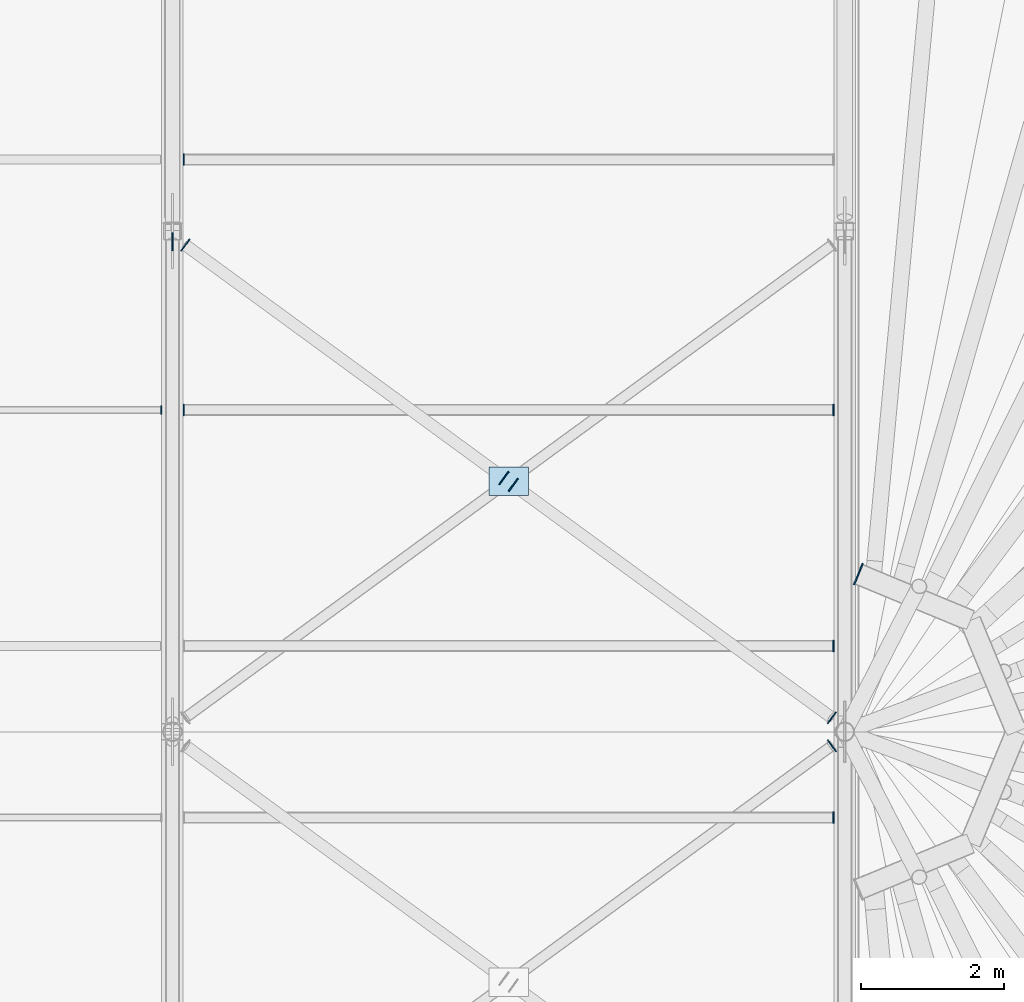
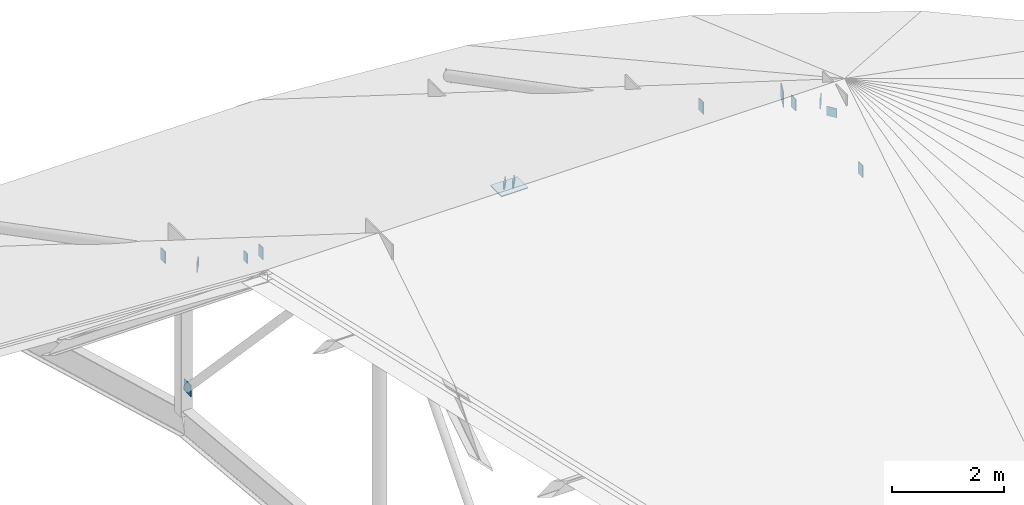
# One storey, part 61 of 66: 14 plates.
"""IFC4 building model written with IfcOpenShell, lengths in metres."""

from ifc_helpers import new_model, si_unit, direction, frame, origin, origin_2d, place, context, subcontext, project, spatial, rectangle, extrude, material, layer, layer_set, type_object, element, save


model = new_model("IFC4")

# Units and contexts
model_context = context("Model", 3, precision=1e-05, world=origin(), true_north=direction((0.0, 1.0)))
body_context = subcontext(model_context, "Body", "Model", "MODEL_VIEW")
ifc_project = project(units=[si_unit("LENGTHUNIT", "METRE"), si_unit("AREAUNIT", "SQUARE_METRE"), si_unit("VOLUMEUNIT", "CUBIC_METRE"), si_unit("PLANEANGLEUNIT", "RADIAN"), si_unit("MASSUNIT", "GRAM", prefix="KILO")], contexts=[model_context])

# Site, building, storey
site_placement = place(None, origin())
site = spatial("IfcSite", under=ifc_project, at=site_placement, CompositionType="ELEMENT")
building_placement = place(site_placement, origin())
building = spatial("IfcBuilding", under=site, at=building_placement, Name="Yeouljin Market Hall", CompositionType="ELEMENT")
storey_placement = place(building_placement, frame((0.0, 0.0, 23.39990234375)))
storey = spatial("IfcBuildingStorey", under=building, at=storey_placement, Name="RF", CompositionType="ELEMENT", Elevation=23.39990234375)

# Plates
ifc_material_1 = material(Name="Steel SM355", Category="steel")
ifc_layer_1 = layer(ifc_material_1, 0.01611328125)
ifc_layer_set_1 = layer_set([ifc_layer_1], Name="Steel SM355")
plate_type_1 = type_object("IfcPlateType", Name="CapPlate_200x200x16", PredefinedType="SHEET", material=ifc_layer_set_1)
for number, where, z_axis, x_axis, name in (
    (1, (140.6201171875, 56.804443359375, 0.623046875), (0.0, 0.0, 1.0), (-0.590183063249, 0.807269441918, 0.0), "Wind brace end-cap plate 0254"),
    (2, (131.580078125, 63.804443359375, -3.78271484375), (0.0, 0.0, 1.0), (0.590183063249, 0.807269441918, 0.0), "Wind brace end-cap plate 0261"),
    (3, (140.6201171875, 57.195556640625, 0.623046875), (0.0, 0.0, 1.0), (0.590183063249, 0.807269441918, 0.0), "Wind brace end-cap plate 0264"),
):
    element("IfcPlate", number, at=place(storey_placement, frame(where, z_axis=z_axis, x_axis=x_axis)), inside=storey, type_object=plate_type_1, Name=name, PredefinedType="SHEET", context=body_context, shape_type="SweptSolid", body=[
        extrude(rectangle(XDim=0.199951171875, YDim=0.01611328125, at=origin_2d()), origin(), (0.0, 0.0, 1.0), 0.199951171875),
    ])
ifc_material_2 = material(Name="Steel SM355", Category="steel")
ifc_layer_2 = layer(ifc_material_2, 0.01611328125)
ifc_layer_set_2 = layer_set([ifc_layer_2], Name="Steel SM355")
plate_type_2 = type_object("IfcPlateType", Name="CapPlate_220x120x16", PredefinedType="SHEET", material=ifc_layer_set_2)
plate_1_placement = place(storey_placement, frame((131.241943359375, 61.5, -2.11865234375), z_axis=(0.0, 0.0, 1.0), x_axis=(0.0, 1.0, 0.0)))
element("IfcPlate", 4, at=plate_1_placement, inside=storey, type_object=plate_type_2, Name="Purlin end-cap plate 0224", PredefinedType="SHEET", context=body_context, shape_type="SweptSolid", body=[
    extrude(rectangle(XDim=0.1201171875, YDim=0.01611328125, at=origin_2d()), origin(), (0.0, 0.0, 1.0), 0.219970703125),
])
for number, where, z_axis, x_axis, name in (
    (5, (136.03466796875, 60.5478515625, -1.554931640625), (0.0, 0.0, 1.0), (0.590183063249, 0.807269441918, 0.0), "Wind brace end-cap plate 0262"),
    (6, (136.165283203125, 60.4521484375, -1.508056640625), (0.0, 0.0, 1.0), (0.590183063249, 0.807269441918, 0.0), "Wind brace end-cap plate 0263"),
):
    element("IfcPlate", number, at=place(storey_placement, frame(where, z_axis=z_axis, x_axis=x_axis)), inside=storey, type_object=plate_type_2, Name=name, PredefinedType="SHEET", context=body_context, shape_type="SweptSolid", body=[
        extrude(rectangle(XDim=0.219970703125, YDim=0.01611328125, at=origin_2d()), origin(), (0.0, 0.0, 1.0), 0.1201171875),
    ])
ifc_material_3 = material(Name="Steel SM355", Category="steel")
ifc_layer_3 = layer(ifc_material_3, 0.01611328125)
ifc_layer_set_3 = layer_set([ifc_layer_3], Name="Steel SM355")
plate_type_3 = type_object("IfcPlateType", Name="CapPlate_250x250x16", PredefinedType="SHEET", material=ifc_layer_set_3)
plate_2_placement = place(storey_placement, frame((131.39990234375, 63.848876953125, -6.465087890625), z_axis=(0.0, 0.0, 1.0), x_axis=(0.0, 1.0, 0.0)))
element("IfcPlate", 7, at=plate_2_placement, inside=storey, type_object=plate_type_3, Name="Hollow web end-cap plate 0043", PredefinedType="SHEET", context=body_context, shape_type="SweptSolid", body=[
    extrude(rectangle(XDim=0.25, YDim=0.01611328125, at=origin_2d()), origin(), (0.0, 0.0, 1.0), 0.25),
])
ifc_material_4 = material(Name="Steel SM355", Category="steel")
ifc_layer_4 = layer(ifc_material_4, 0.01611328125)
ifc_layer_set_4 = layer_set([ifc_layer_4], Name="Steel SM355")
plate_type_4 = type_object("IfcPlateType", Name="CapPlate_260x160x16", PredefinedType="SHEET", material=ifc_layer_set_4)
for number, where, z_axis, x_axis, name in (
    (8, (140.64208984375, 55.800048828125, -0.06396484375), (0.0, 0.0, 1.0), (0.0, 1.0, 0.0), "Purlin end-cap plate 0240"),
    (9, (140.64208984375, 58.199951171875, -0.06396484375), (0.0, 0.0, 1.0), (0.0, 1.0, 0.0), "Purlin end-cap plate 0242"),
    (10, (131.55810546875, 61.5, -2.138671875), (0.0, 0.0, 1.0), (0.0, 1.0, 0.0), "Purlin end-cap plate 0243"),
    (11, (140.64208984375, 61.5, -2.138671875), (0.0, 0.0, 1.0), (0.0, 1.0, 0.0), "Purlin end-cap plate 0244"),
    (12, (131.55810546875, 65.0, -4.33837890625), (0.0, 0.0, 1.0), (0.0, 1.0, 0.0), "Purlin end-cap plate 0245"),
):
    element("IfcPlate", number, at=place(storey_placement, frame(where, z_axis=z_axis, x_axis=x_axis)), inside=storey, type_object=plate_type_4, Name=name, PredefinedType="SHEET", context=body_context, shape_type="SweptSolid", body=[
        extrude(rectangle(XDim=0.159912109375, YDim=0.01611328125, at=origin_2d()), origin(), (0.0, 0.0, 1.0), 0.260009765625),
    ])
ifc_material_5 = material(Name="Steel SM355", Category="steel")
ifc_layer_5 = layer(ifc_material_5, 0.02001953125)
ifc_layer_set_5 = layer_set([ifc_layer_5], Name="Steel SM355")
plate_type_5 = type_object("IfcPlateType", Name="CapPlate_320x320x20", PredefinedType="SHEET", material=ifc_layer_set_5)
plate_3_placement = place(storey_placement, frame((140.99072265625, 59.203857421875, -0.66015625), z_axis=(0.0, 0.0, 1.0), x_axis=(-0.382683432365, -0.923879532511, 0.0)))
element("IfcPlate", 13, at=plate_3_placement, inside=storey, type_object=plate_type_5, Name="Apse compression ring cap plate east 4", PredefinedType="SHEET", context=body_context, shape_type="SweptSolid", body=[
    extrude(rectangle(XDim=0.320068359375, YDim=0.02001953125, at=origin_2d()), origin(), (0.0, 0.0, 1.0), 0.320068359375),
])
ifc_material_6 = material(Name="Steel SM355", Category="steel")
ifc_layer_6 = layer(ifc_material_6, 0.02001953125)
ifc_layer_set_6 = layer_set([ifc_layer_6], Name="Steel SM355")
plate_type_6 = type_object("IfcPlateType", Name="GussetPlate_550x400x20", PredefinedType="USERDEFINED", material=ifc_layer_set_6)
plate_4_placement = place(storey_placement, frame((136.10009765625, 60.5, -1.579833984375), z_axis=(0.0, 0.0, 1.0), x_axis=(1.0, 0.0, 0.0)))
element("IfcPlate", 14, at=plate_4_placement, inside=storey, type_object=plate_type_6, Name="X-brace crossing node gusset plate 010", ObjectType="GUSSET PLATE", PredefinedType="USERDEFINED", context=body_context, shape_type="SweptSolid", body=[
    extrude(rectangle(XDim=0.550048828125, YDim=0.39990234375, at=origin_2d()), origin(), (0.0, 0.0, 1.0), 0.02001953125),
])

save(model, "model.ifc")
